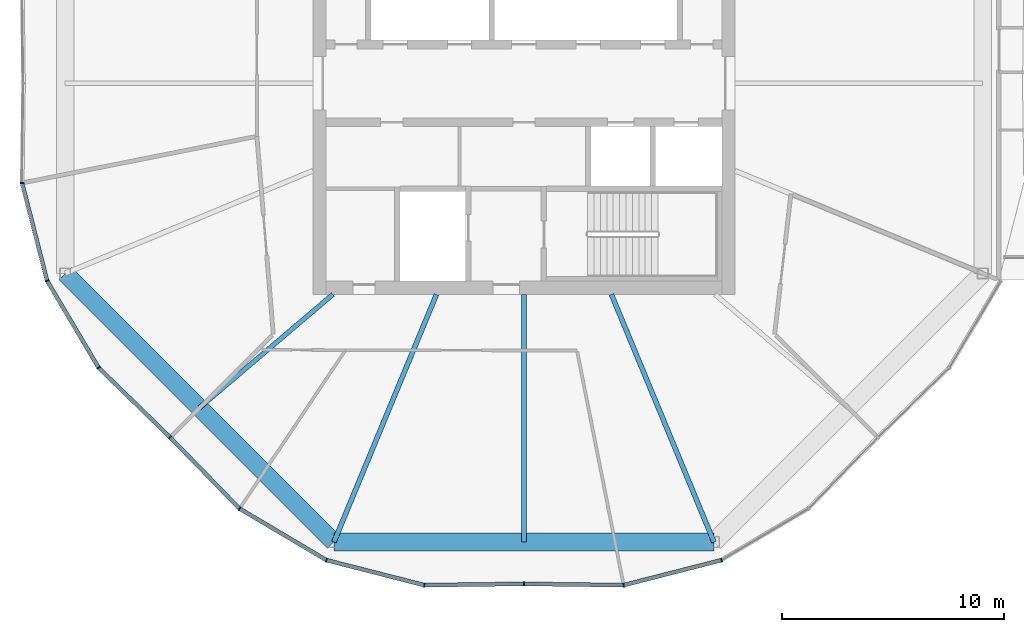
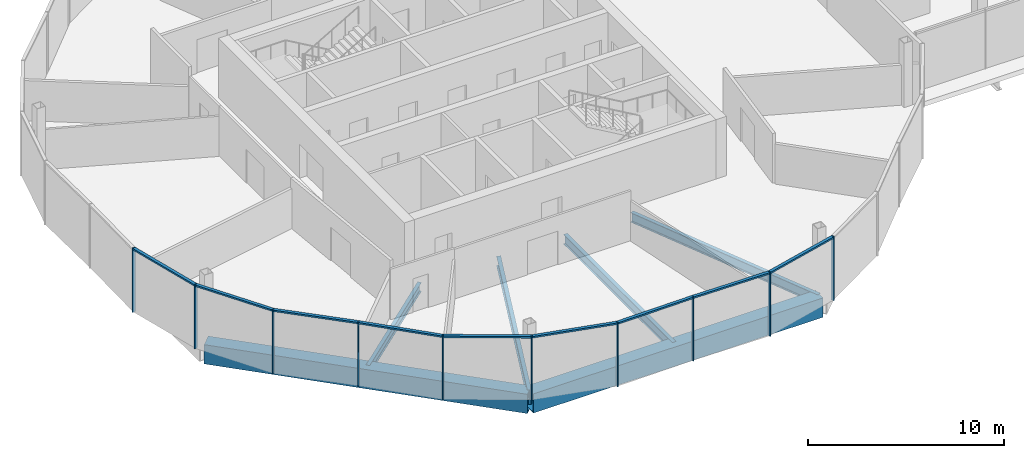
# One storey, part 3 of 25: 19 members, 6 beams, 3 elements without a shape of their own.
"""IFC4 building model written with IfcOpenShell, lengths in metres."""

from ifc_helpers import new_model, si_unit, direction, frame, origin, origin_2d, place, context, subcontext, project, spatial, rectangle, hollow_rectangle, i_section, extrude, material, material_profile, profile_set, type_object, element, aggregate, save


model = new_model("IFC4")

# Units and contexts
model_context = context("Model", 3, precision=1e-05, world=origin(), true_north=direction((0.0, 1.0)))
body_context = subcontext(model_context, "Body", "Model", "MODEL_VIEW")
ifc_project = project(units=[si_unit("LENGTHUNIT", "METRE"), si_unit("AREAUNIT", "SQUARE_METRE"), si_unit("VOLUMEUNIT", "CUBIC_METRE"), si_unit("PLANEANGLEUNIT", "RADIAN"), si_unit("MASSUNIT", "GRAM", prefix="KILO")], contexts=[model_context])

# Site, building, storey
site_placement = place(None, origin())
site = spatial("IfcSite", under=ifc_project, at=site_placement, CompositionType="ELEMENT")
building_placement = place(site_placement, origin())
building = spatial("IfcBuilding", under=site, at=building_placement, Name="Ogive Gate Towers", CompositionType="ELEMENT")
storey_placement = place(building_placement, frame((0.0, 0.0, 152.800048828125)))
storey = spatial("IfcBuildingStorey", under=building, at=storey_placement, Name="L36", CompositionType="ELEMENT", Elevation=152.800048828125)

# Beams
ifc_material_1 = material(Name="Steel SM460", Category="steel")
ifc_material_profile_1 = material_profile(ifc_material_1, hollow_rectangle(XDim=0.800048828125, YDim=1.199951171875, WallThickness=0.050048828125, at=origin_2d()), Name="BX 1200x800x50")
ifc_profile_set_1 = profile_set([ifc_material_profile_1], Name="Steel SM460")
beam_type_1 = type_object("IfcBeamType", Name="Edge girder BX 1200x800x50", PredefinedType="BEAM", material=ifc_profile_set_1)
beam_1_placement = place(storey_placement, frame((-56.639404296875, -8.549072265625, -0.900146484375), z_axis=(0.707106781187, -0.707106781187, 0.0), x_axis=(0.707106781187, 0.707106781187, 0.0)))
element("IfcBeam", 1, at=beam_1_placement, inside=storey, type_object=beam_type_1, Name="T1/L36/SBM017", PredefinedType="BEAM", context=body_context, shape_type="SweptSolid", body=[
    extrude(hollow_rectangle(XDim=0.800048828125, YDim=1.199951171875, WallThickness=0.050048828125, at=origin_2d()), origin(), (0.0, 0.0, 1.0), 17.098388671875),
])
beam_2_placement = place(storey_placement, frame((-44.549072265625, -20.639404296875, -0.900146484375), z_axis=(1.0, 0.0, 0.0), x_axis=(0.0, 1.0, 0.0)))
element("IfcBeam", 2, at=beam_2_placement, inside=storey, type_object=beam_type_1, Name="T1/L36/SBM018", PredefinedType="BEAM", context=body_context, shape_type="SweptSolid", body=[
    extrude(hollow_rectangle(XDim=0.800048828125, YDim=1.199951171875, WallThickness=0.050048828125, at=origin_2d()), origin(), (0.0, 0.0, 1.0), 17.09814453125),
])
ifc_material_2 = material(Name="Steel SM355", Category="steel")
ifc_material_profile_2 = material_profile(ifc_material_2, i_section(OverallWidth=0.2099609375, OverallDepth=0.550048828125, WebThickness=0.010986328125, FlangeThickness=0.01708984375, FilletRadius=0.02392578125, at=origin_2d()), Name="IPE 550")
ifc_profile_set_2 = profile_set([ifc_material_profile_2], Name="Steel SM355")
beam_type_2 = type_object("IfcBeamType", Name="Radial floor beam IPE 550", PredefinedType="BEAM", material=ifc_profile_set_2)
beam_3_placement = place(storey_placement, frame((-44.60009765625, -9.5, -0.574951171875), z_axis=(-0.761988324045, -0.647590761222, 0.0), x_axis=(0.647590761222, -0.761988324045, 0.0)))
element("IfcBeam", 3, at=beam_3_placement, inside=storey, type_object=beam_type_2, Name="T1/L36/SBM002", PredefinedType="BEAM", context=body_context, shape_type="SweptSolid", body=[
    extrude(i_section(OverallWidth=0.2099609375, OverallDepth=0.550048828125, WebThickness=0.010986328125, FlangeThickness=0.01708984375, FilletRadius=0.02392578125, at=origin_2d()), origin(), (0.0, 0.0, 1.0), 7.866455078125),
])
ifc_material_profile_3 = material_profile(ifc_material_2, i_section(OverallWidth=0.219970703125, OverallDepth=0.60009765625, WebThickness=0.011962890625, FlangeThickness=0.01904296875, FilletRadius=0.02392578125, at=origin_2d()), Name="IPE 600")
ifc_profile_set_3 = profile_set([ifc_material_profile_3], Name="Steel SM355")
beam_type_3 = type_object("IfcBeamType", Name="Radial floor beam IPE 600", PredefinedType="BEAM", material=ifc_profile_set_3)
beam_4_placement = place(storey_placement, frame((-39.93505859375, -9.5, -0.60009765625), z_axis=(-0.382677863518, -0.923881839184, 0.0), x_axis=(0.923881839184, -0.382677863518, 0.0)))
element("IfcBeam", 4, at=beam_4_placement, inside=storey, type_object=beam_type_3, Name="T1/L36/SBM003", PredefinedType="BEAM", context=body_context, shape_type="SweptSolid", body=[
    extrude(i_section(OverallWidth=0.219970703125, OverallDepth=0.60009765625, WebThickness=0.011962890625, FlangeThickness=0.01904296875, FilletRadius=0.02392578125, at=origin_2d()), origin(), (0.0, 0.0, 1.0), 12.05712890625),
])
beam_5_placement = place(storey_placement, frame((-36.0, -9.5, -0.60009765625), z_axis=(0.0, -1.0, 0.0), x_axis=(1.0, 0.0, 0.0)))
element("IfcBeam", 5, at=beam_5_placement, inside=storey, type_object=beam_type_3, Name="T1/L36/SBM004", PredefinedType="BEAM", context=body_context, shape_type="SweptSolid", body=[
    extrude(i_section(OverallWidth=0.219970703125, OverallDepth=0.60009765625, WebThickness=0.011962890625, FlangeThickness=0.01904296875, FilletRadius=0.02392578125, at=origin_2d()), origin(), (0.0, 0.0, 1.0), 11.139404296875),
])
beam_6_placement = place(storey_placement, frame((-32.06494140625, -9.5, -0.60009765625), z_axis=(0.382677863518, -0.923881839184, 0.0), x_axis=(0.923881839184, 0.382677863518, 0.0)))
element("IfcBeam", 6, at=beam_6_placement, inside=storey, type_object=beam_type_3, Name="T1/L36/SBM005", PredefinedType="BEAM", context=body_context, shape_type="SweptSolid", body=[
    extrude(i_section(OverallWidth=0.219970703125, OverallDepth=0.60009765625, WebThickness=0.011962890625, FlangeThickness=0.01904296875, FilletRadius=0.02392578125, at=origin_2d()), origin(), (0.0, 0.0, 1.0), 12.05712890625),
])

# Curtain wall, members
ifc_material_3 = material(Name="Pale metal aluminium", Category="aluminium")
curtain_wall_type = type_object("IfcCurtainWallType", Name="Tower unitised wall, high zone", PredefinedType="NOTDEFINED", material=ifc_material_3)
curtain_wall_1_placement = place(storey_placement, origin())
curtain_wall_1 = element("IfcCurtainWall", 7, at=curtain_wall_1_placement, inside=storey, type_object=curtain_wall_type, Name="CW2 T1 ECW05", PredefinedType="NOTDEFINED")
ifc_material_profile_4 = material_profile(ifc_material_3, rectangle(XDim=0.179931640625, YDim=0.06005859375, at=origin_2d()), Name="60 x 180 aluminium box")
ifc_profile_set_4 = profile_set([ifc_material_profile_4], Name="Pale metal aluminium")
member_type_1 = type_object("IfcMemberType", Name="Tower unitised wall, high zone mullion 60 x 180", PredefinedType="MULLION", material=ifc_profile_set_4)
member_1_placement = place(storey_placement, frame((-58.57958984375, -4.484130859375, -0.300048828125), z_axis=(0.0, 0.0, 1.0), x_axis=(-0.992975837021, -0.118317315268, 0.0)))
member_1 = element("IfcMember", 8, at=member_1_placement, type_object=member_type_1, Name="CW2 mullion", PredefinedType="MULLION", context=body_context, shape_type="SweptSolid", body=[
    extrude(rectangle(XDim=0.179931640625, YDim=0.06005859375, at=origin_2d()), origin(), (0.0, 0.0, 1.0), 4.0),
])
member_2_placement = place(storey_placement, frame((-57.45361328125, -8.88623046875, -0.300048828125), z_axis=(0.0, 0.0, 1.0), x_axis=(-0.923879532511, -0.382683432365, 0.0)))
member_2 = element("IfcMember", 9, at=member_2_placement, type_object=member_type_1, Name="CW2 mullion", PredefinedType="MULLION", context=body_context, shape_type="SweptSolid", body=[
    extrude(rectangle(XDim=0.179931640625, YDim=0.06005859375, at=origin_2d()), origin(), (0.0, 0.0, 1.0), 4.0),
])
member_3_placement = place(storey_placement, frame((-55.136962890625, -12.79541015625, -0.300048828125), z_axis=(0.0, 0.0, 1.0), x_axis=(-0.78580292387, -0.618476971954, 0.0)))
member_3 = element("IfcMember", 10, at=member_3_placement, type_object=member_type_1, Name="CW2 mullion", PredefinedType="MULLION", context=body_context, shape_type="SweptSolid", body=[
    extrude(rectangle(XDim=0.179931640625, YDim=0.06005859375, at=origin_2d()), origin(), (0.0, 0.0, 1.0), 4.0),
])
member_4_placement = place(storey_placement, frame((-51.924072265625, -15.923828125, -0.300048828125), z_axis=(0.0, 0.0, 1.0), x_axis=(-0.697652926882, -0.716435896374, 0.0)))
member_4 = element("IfcMember", 11, at=member_4_placement, type_object=member_type_1, Name="CW2 mullion", PredefinedType="MULLION", context=body_context, shape_type="SweptSolid", body=[
    extrude(rectangle(XDim=0.179931640625, YDim=0.06005859375, at=origin_2d()), origin(), (0.0, 0.0, 1.0), 4.0),
])

curtain_wall_2_placement = place(storey_placement, origin())
curtain_wall_2 = element("IfcCurtainWall", 12, at=curtain_wall_2_placement, inside=storey, type_object=curtain_wall_type, Name="CW2 T1 ECW06", PredefinedType="NOTDEFINED")
member_5_placement = place(storey_placement, frame((-48.79541015625, -19.136962890625, -0.300048828125), z_axis=(0.0, 0.0, 1.0), x_axis=(-0.618476971954, -0.78580292387, 0.0)))
member_5 = element("IfcMember", 13, at=member_5_placement, type_object=member_type_1, Name="CW2 mullion", PredefinedType="MULLION", context=body_context, shape_type="SweptSolid", body=[
    extrude(rectangle(XDim=0.179931640625, YDim=0.06005859375, at=origin_2d()), origin(), (0.0, 0.0, 1.0), 4.0),
])
member_6_placement = place(storey_placement, frame((-44.88623046875, -21.45361328125, -0.300048828125), z_axis=(0.0, 0.0, 1.0), x_axis=(-0.382683432365, -0.923879532511, 0.0)))
member_6 = element("IfcMember", 14, at=member_6_placement, type_object=member_type_1, Name="CW2 mullion", PredefinedType="MULLION", context=body_context, shape_type="SweptSolid", body=[
    extrude(rectangle(XDim=0.179931640625, YDim=0.06005859375, at=origin_2d()), origin(), (0.0, 0.0, 1.0), 4.0),
])
member_7_placement = place(storey_placement, frame((-40.484130859375, -22.57958984375, -0.300048828125), z_axis=(0.0, 0.0, 1.0), x_axis=(-0.118317315268, -0.992975837021, 0.0)))
member_7 = element("IfcMember", 15, at=member_7_placement, type_object=member_type_1, Name="CW2 mullion", PredefinedType="MULLION", context=body_context, shape_type="SweptSolid", body=[
    extrude(rectangle(XDim=0.179931640625, YDim=0.06005859375, at=origin_2d()), origin(), (0.0, 0.0, 1.0), 4.0),
])
member_8_placement = place(storey_placement, frame((-36.0, -22.52001953125, -0.300048828125), z_axis=(0.0, 0.0, 1.0), x_axis=(0.013281565099, -0.999911796124, 0.0)))
member_8 = element("IfcMember", 16, at=member_8_placement, type_object=member_type_1, Name="CW2 mullion", PredefinedType="MULLION", context=body_context, shape_type="SweptSolid", body=[
    extrude(rectangle(XDim=0.179931640625, YDim=0.06005859375, at=origin_2d()), origin(), (0.0, 0.0, 1.0), 4.0),
])

curtain_wall_3_placement = place(storey_placement, origin())
curtain_wall_3 = element("IfcCurtainWall", 17, at=curtain_wall_3_placement, inside=storey, type_object=curtain_wall_type, Name="CW2 T1 ECW07", PredefinedType="NOTDEFINED")
member_9_placement = place(storey_placement, frame((-31.515869140625, -22.57958984375, -0.300048828125), z_axis=(0.0, 0.0, 1.0), x_axis=(0.118317315268, -0.992975837021, 0.0)))
member_9 = element("IfcMember", 18, at=member_9_placement, type_object=member_type_1, Name="CW2 mullion", PredefinedType="MULLION", context=body_context, shape_type="SweptSolid", body=[
    extrude(rectangle(XDim=0.179931640625, YDim=0.06005859375, at=origin_2d()), origin(), (0.0, 0.0, 1.0), 4.0),
])
member_10_placement = place(storey_placement, frame((-27.11376953125, -21.45361328125, -0.300048828125), z_axis=(0.0, 0.0, 1.0), x_axis=(0.382683432365, -0.923879532511, 0.0)))
member_10 = element("IfcMember", 19, at=member_10_placement, type_object=member_type_1, Name="CW2 mullion", PredefinedType="MULLION", context=body_context, shape_type="SweptSolid", body=[
    extrude(rectangle(XDim=0.179931640625, YDim=0.06005859375, at=origin_2d()), origin(), (0.0, 0.0, 1.0), 4.0),
])

# Member
ifc_material_profile_5 = material_profile(ifc_material_3, rectangle(XDim=0.179931640625, YDim=0.10009765625, at=origin_2d()), Name="100 x 180 aluminium box")
ifc_profile_set_5 = profile_set([ifc_material_profile_5], Name="Pale metal aluminium")
member_type_2 = type_object("IfcMemberType", Name="Tower unitised wall, high zone transom 100 x 180", PredefinedType="USERDEFINED", material=ifc_profile_set_5)
member_11_placement = place(storey_placement, frame((-58.572509765625, -4.511962890625, 3.64990234375), z_axis=(0.247858192196, -0.968796323569, 0.0), x_axis=(0.968796323569, 0.247858192196, 0.0)))
member_11 = element("IfcMember", 20, at=member_11_placement, type_object=member_type_2, Name="CW2 transom", ObjectType="TRANSOM", PredefinedType="USERDEFINED", context=body_context, shape_type="SweptSolid", body=[
    extrude(rectangle(XDim=0.179931640625, YDim=0.10009765625, at=origin_2d()), origin(), (0.0, 0.0, 1.0), 4.486572265625),
])

member_12_placement = place(storey_placement, frame((-57.438720703125, -8.910888671875, 3.64990234375), z_axis=(0.509766591489, -0.860312746739, 0.0), x_axis=(0.860312746739, 0.509766591489, 0.0)))
member_12 = element("IfcMember", 21, at=member_12_placement, type_object=member_type_2, Name="CW2 transom", ObjectType="TRANSOM", PredefinedType="USERDEFINED", context=body_context, shape_type="SweptSolid", body=[
    extrude(rectangle(XDim=0.179931640625, YDim=0.10009765625, at=origin_2d()), origin(), (0.0, 0.0, 1.0), 4.486572265625),
])

member_13_placement = place(storey_placement, frame((-55.116455078125, -12.8154296875, 3.64990234375), z_axis=(0.71644942086, -0.697639038006, 0.0), x_axis=(0.697639038006, 0.71644942086, 0.0)))
member_13 = element("IfcMember", 22, at=member_13_placement, type_object=member_type_2, Name="CW2 transom", ObjectType="TRANSOM", PredefinedType="USERDEFINED", context=body_context, shape_type="SweptSolid", body=[
    extrude(rectangle(XDim=0.179931640625, YDim=0.10009765625, at=origin_2d()), origin(), (0.0, 0.0, 1.0), 4.42578125),
])

aggregate(curtain_wall_1, [member_1, member_2, member_11, member_3, member_12, member_4, member_13])

member_14_placement = place(storey_placement, frame((-51.903076171875, -15.945556640625, 3.64990234375), z_axis=(0.697639038006, -0.71644942086, 0.0), x_axis=(0.71644942086, 0.697639038006, 0.0)))
member_14 = element("IfcMember", 23, at=member_14_placement, type_object=member_type_2, Name="CW2 transom", ObjectType="TRANSOM", PredefinedType="USERDEFINED", context=body_context, shape_type="SweptSolid", body=[
    extrude(rectangle(XDim=0.179931640625, YDim=0.10009765625, at=origin_2d()), origin(), (0.0, 0.0, 1.0), 4.42578125),
])

member_15_placement = place(storey_placement, frame((-48.770751953125, -19.151611328125, 3.64990234375), z_axis=(0.860312746739, -0.509766591489, 0.0), x_axis=(0.509766591489, 0.860312746739, 0.0)))
member_15 = element("IfcMember", 24, at=member_15_placement, type_object=member_type_2, Name="CW2 transom", ObjectType="TRANSOM", PredefinedType="USERDEFINED", context=body_context, shape_type="SweptSolid", body=[
    extrude(rectangle(XDim=0.179931640625, YDim=0.10009765625, at=origin_2d()), origin(), (0.0, 0.0, 1.0), 4.486572265625),
])

member_16_placement = place(storey_placement, frame((-44.858642578125, -21.46044921875, 3.64990234375), z_axis=(0.968796323569, -0.247858192196, 0.0), x_axis=(0.247858192196, 0.968796323569, 0.0)))
member_16 = element("IfcMember", 25, at=member_16_placement, type_object=member_type_2, Name="CW2 transom", ObjectType="TRANSOM", PredefinedType="USERDEFINED", context=body_context, shape_type="SweptSolid", body=[
    extrude(rectangle(XDim=0.179931640625, YDim=0.10009765625, at=origin_2d()), origin(), (0.0, 0.0, 1.0), 4.486572265625),
])

member_17_placement = place(storey_placement, frame((-40.45556640625, -22.5791015625, 3.64990234375), z_axis=(0.999912363802, 0.013238758058, 0.0), x_axis=(-0.013238758058, 0.999912363802, 0.0)))
member_17 = element("IfcMember", 26, at=member_17_placement, type_object=member_type_2, Name="CW2 transom", ObjectType="TRANSOM", PredefinedType="USERDEFINED", context=body_context, shape_type="SweptSolid", body=[
    extrude(rectangle(XDim=0.179931640625, YDim=0.10009765625, at=origin_2d()), origin(), (0.0, 0.0, 1.0), 4.426025390625),
])

aggregate(curtain_wall_2, [member_5, member_14, member_6, member_15, member_7, member_16, member_8, member_17])

member_18_placement = place(storey_placement, frame((-35.969970703125, -22.5205078125, 3.64990234375), z_axis=(0.999912363802, -0.013238758058, 0.0), x_axis=(0.013238758058, 0.999912363802, 0.0)))
member_18 = element("IfcMember", 27, at=member_18_placement, type_object=member_type_2, Name="CW2 transom", ObjectType="TRANSOM", PredefinedType="USERDEFINED", context=body_context, shape_type="SweptSolid", body=[
    extrude(rectangle(XDim=0.179931640625, YDim=0.10009765625, at=origin_2d()), origin(), (0.0, 0.0, 1.0), 4.426025390625),
])

member_19_placement = place(storey_placement, frame((-31.488037109375, -22.572509765625, 3.64990234375), z_axis=(0.968796323569, 0.247858192196, 0.0), x_axis=(-0.247858192196, 0.968796323569, 0.0)))
member_19 = element("IfcMember", 28, at=member_19_placement, type_object=member_type_2, Name="CW2 transom", ObjectType="TRANSOM", PredefinedType="USERDEFINED", context=body_context, shape_type="SweptSolid", body=[
    extrude(rectangle(XDim=0.179931640625, YDim=0.10009765625, at=origin_2d()), origin(), (0.0, 0.0, 1.0), 4.486572265625),
])

aggregate(curtain_wall_3, [member_9, member_18, member_10, member_19])

save(model, "model.ifc")
